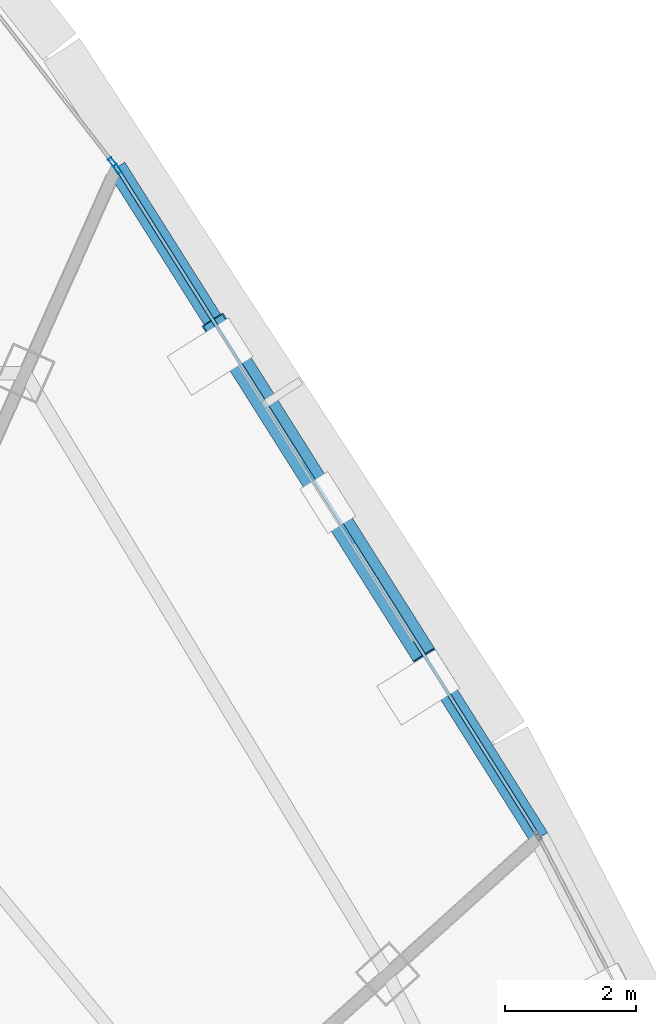
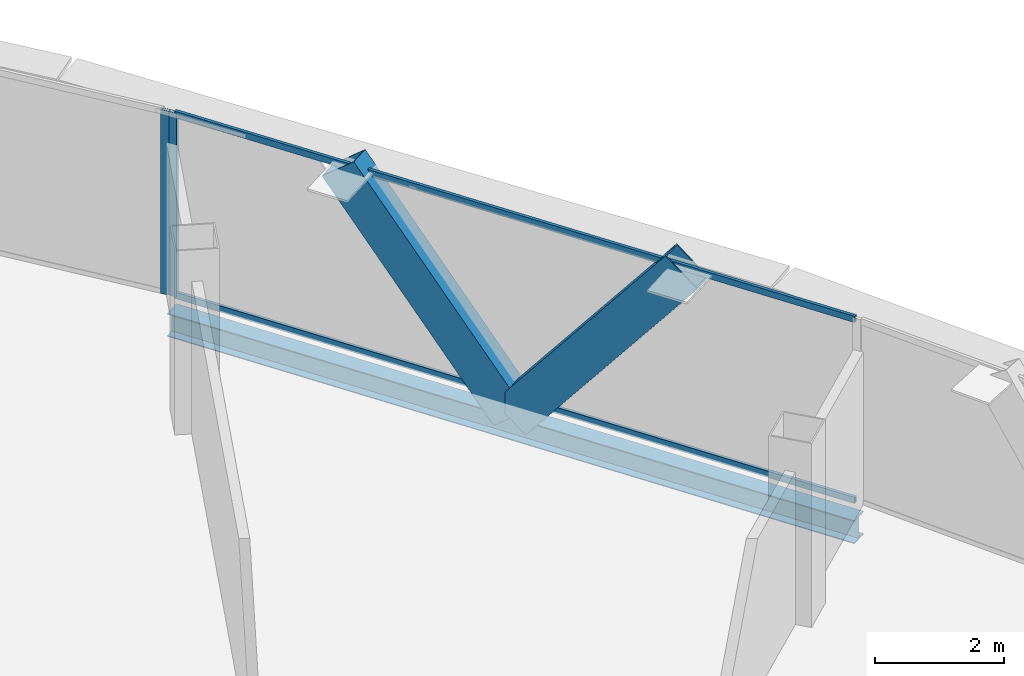
# One storey, part 19 of 27: 6 members, 1 beam, 2 elements without a shape of their own.
"""IFC4 building model written with IfcOpenShell, lengths in metres."""

import ifcopenshell
import ifcopenshell.guid

model = None  # the IFC model being written
_history = None  # IfcOwnerHistory: only IFC2X3 demands one
_inside = {}  # id of a spatial element -> (the spatial element, [elements in it])
_under = {}  # id of a project, library or spatial element -> (it, [spatial elements below it])
_declared = {}  # id of a project -> (the project, [libraries it declares])
_typed = {}  # id of a type object -> (the type object, [elements of that type])
_made_of = {}  # id of a material, layer set ... -> (it, [elements and type objects made of it])


def new_model(schema):
    """Start an empty IFC model of exactly this schema.

    Asked for "IFC4X3", IfcOpenShell would pick the latest addendum, in which some entities
    have other attributes; the version numbers below select the first issue.
    IFC2X3 requires an IfcOwnerHistory on every rooted entity: one is made here for all.
    """
    global model, _history
    if schema == "IFC4X3":
        model = ifcopenshell.file(schema_version=(4, 3, 0, 0))
    else:
        model = ifcopenshell.file(schema=schema)
    _inside.clear()
    _under.clear()
    _declared.clear()
    _typed.clear()
    _made_of.clear()
    _history = None
    if model.schema == "IFC2X3":
        org = make("IfcOrganization", Name="unknown")
        user = make(
            "IfcPersonAndOrganization",
            ThePerson=make("IfcPerson", FamilyName="unknown"),
            TheOrganization=org,
        )
        app = make(
            "IfcApplication",
            ApplicationDeveloper=org,
            Version="unknown",
            ApplicationFullName="unknown",
            ApplicationIdentifier="unknown",
        )
        _history = make(
            "IfcOwnerHistory",
            OwningUser=user,
            OwningApplication=app,
            ChangeAction="ADDED",
            CreationDate=0,
        )
    return model


def make(cls, **values):
    """One entity of the class cls with the attributes given. An attribute that is None is left unset."""
    return model.create_entity(
        cls, **{name: value for name, value in values.items() if value is not None}
    )


def rooted(cls, **values):
    """An entity with a GlobalId (a new one), such as an element, a storey or a relation."""
    return make(cls, GlobalId=ifcopenshell.guid.new(), OwnerHistory=_history, **values)


def si_unit(unit_type, name, prefix=None):
    """IfcSIUnit, for example si_unit("LENGTHUNIT", "METRE", prefix="MILLI")."""
    return make("IfcSIUnit", UnitType=unit_type, Prefix=prefix, Name=name)


def assignment(units):
    """IfcUnitAssignment: the units of a project."""
    return None if units is None else make("IfcUnitAssignment", Units=units)


def point(xyz):
    """IfcCartesianPoint."""
    return None if xyz is None else make("IfcCartesianPoint", Coordinates=xyz)


def direction(xyz):
    """IfcDirection."""
    return None if xyz is None else make("IfcDirection", DirectionRatios=xyz)


def frame(location, z_axis=None, x_axis=None):
    """IfcAxis2Placement3D, a coordinate frame: its origin and axes. An axis left out is left unset."""
    return make(
        "IfcAxis2Placement3D",
        Location=point(location),
        Axis=direction(z_axis),
        RefDirection=direction(x_axis),
    )


def frame_2d(location, x_axis=None):
    """IfcAxis2Placement2D, a coordinate frame in the plane: its origin and x axis."""
    return make(
        "IfcAxis2Placement2D", Location=point(location), RefDirection=direction(x_axis)
    )


def origin():
    """The frame at (0, 0, 0) with its axes left unset."""
    return frame((0.0, 0.0, 0.0))


def origin_2d():
    """The frame at (0, 0) in the plane with its x axis left unset."""
    return frame_2d((0.0, 0.0))


def place(relative_to, where):
    """IfcLocalPlacement: puts the frame where relative to a parent placement (None: the world)."""
    return make(
        "IfcLocalPlacement", PlacementRelTo=relative_to, RelativePlacement=where
    )


def context(
    kind, dimensions, precision=None, world=None, true_north=None, identifier=None
):
    """IfcGeometricRepresentationContext, for example the 3D "Model" context."""
    return make(
        "IfcGeometricRepresentationContext",
        ContextIdentifier=identifier,
        ContextType=kind,
        CoordinateSpaceDimension=dimensions,
        Precision=precision,
        WorldCoordinateSystem=world,
        TrueNorth=true_north,
    )


def subcontext(parent, identifier, kind, view, scale=None):
    """IfcGeometricRepresentationSubContext, for example "Body" below "Model"."""
    return make(
        "IfcGeometricRepresentationSubContext",
        ContextIdentifier=identifier,
        ContextType=kind,
        ParentContext=parent,
        TargetScale=scale,
        TargetView=view,
    )


def project(units=None, contexts=None):
    """IfcProject with its units and contexts."""
    return rooted(
        "IfcProject",
        Name="project",
        RepresentationContexts=contexts,
        UnitsInContext=assignment(units),
    )


def spatial(cls, under=None, at=None, **own):
    """A site, building, storey or space (cls), placed at a placement, below another one or the project."""
    s = rooted(cls, ObjectPlacement=at, **own)
    if under is not None:
        _under.setdefault(under.id(), (under, []))[1].append(s)
    return s


def profile(cls, at=None, kind="AREA", **sizes):
    """A parametric profile (cls). Its sizes go by their IFC names, for example OverallWidth=200.0."""
    return make(cls, ProfileType=kind, Position=at, **sizes)


def hollow_rectangle(**sizes):
    """IfcRectangleHollowProfileDef."""
    return profile("IfcRectangleHollowProfileDef", **sizes)


def i_section(**sizes):
    """IfcIShapeProfileDef."""
    return profile("IfcIShapeProfileDef", **sizes)


def extrude(swept, where, along, depth):
    """IfcExtrudedAreaSolid: the profile swept, set in the frame where, extruded along a direction by depth."""
    return make(
        "IfcExtrudedAreaSolid",
        SweptArea=swept,
        Position=where,
        ExtrudedDirection=direction(along),
        Depth=depth,
    )


def shape(context_of_items, identifier, shape_type, items):
    """IfcShapeRepresentation: the items that make up one representation, for example the "Body"."""
    return make(
        "IfcShapeRepresentation",
        ContextOfItems=context_of_items,
        RepresentationIdentifier=identifier,
        RepresentationType=shape_type,
        Items=items,
    )


def source(mapping_origin, context_of_items, identifier, shape_type, items):
    """IfcRepresentationMap: a shape defined once, which mapped items show again and again."""
    return make(
        "IfcRepresentationMap",
        MappingOrigin=mapping_origin,
        MappedRepresentation=shape(context_of_items, identifier, shape_type, items),
    )


def transform(
    local_origin,
    x_axis=None,
    y_axis=None,
    z_axis=None,
    scale=None,
    scale2=None,
    scale3=None,
    uniform=True,
):
    """IfcCartesianTransformationOperator3D, or its non-uniform kind. x_axis, y_axis, z_axis: its Axis1, 2, 3."""
    if uniform:
        return make(
            "IfcCartesianTransformationOperator3D",
            Axis1=direction(x_axis),
            Axis2=direction(y_axis),
            LocalOrigin=point(local_origin),
            Scale=scale,
            Axis3=direction(z_axis),
        )
    return make(
        "IfcCartesianTransformationOperator3DnonUniform",
        Axis1=direction(x_axis),
        Axis2=direction(y_axis),
        LocalOrigin=point(local_origin),
        Scale=scale,
        Axis3=direction(z_axis),
        Scale2=scale2,
        Scale3=scale3,
    )


def mapped(mapping_source, mapping_target):
    """IfcMappedItem: shows the shape of a source again, moved by a transform."""
    return make(
        "IfcMappedItem", MappingSource=mapping_source, MappingTarget=mapping_target
    )


def material(Name=None, Category=None):
    """IfcMaterial."""
    return make("IfcMaterial", Name=Name, Category=Category)


def layer(
    of_material, thickness, ventilated=None, Name=None, Category=None, Priority=None
):
    """IfcMaterialLayer: one layer of a wall or slab, of a material (None: an air gap)."""
    return make(
        "IfcMaterialLayer",
        Material=of_material,
        LayerThickness=thickness,
        IsVentilated=ventilated,
        Name=Name,
        Category=Category,
        Priority=Priority,
    )


def layer_set(layers, Name=None):
    """IfcMaterialLayerSet."""
    return make("IfcMaterialLayerSet", MaterialLayers=layers, LayerSetName=Name)


def material_profile(
    of_material, cross_section, Name=None, Category=None, Priority=None
):
    """IfcMaterialProfile: a cross section and its material."""
    return make(
        "IfcMaterialProfile",
        Name=Name,
        Material=of_material,
        Profile=cross_section,
        Priority=Priority,
        Category=Category,
    )


def profile_set(profiles, Name=None, composite=None):
    """IfcMaterialProfileSet."""
    return make(
        "IfcMaterialProfileSet",
        Name=Name,
        MaterialProfiles=profiles,
        CompositeProfile=composite,
    )


def made_of(thing, what):
    """Note that an element or type object is made of a material, layer set ...; save() writes the relation."""
    if what is not None:
        _made_of.setdefault(what.id(), (what, []))[1].append(thing)
    return thing


def type_object(cls, material=None, **own):
    """A type object (cls), such as IfcWallType, which elements share."""
    return made_of(rooted(cls, **own), material)


def element(
    cls,
    number,
    at=None,
    inside=None,
    cuts=None,
    type_object=None,
    material=None,
    context=None,
    identifier="Body",
    shape_type=None,
    held_by="IfcProductDefinitionShape",
    body=None,
    shapes=None,
    **own,
):
    """One element of the class cls, such as IfcWall. Its Tag is "e" and its number.

    at: its placement. inside: the storey or other place that contains it. cuts: it is an
    opening in that element (IfcRelVoidsElement). A single representation is given by context,
    identifier, shape_type and body (its items); several are given by shapes. held_by: the class
    of the entity that holds the representations. save() writes the other relations.
    """
    e = rooted(cls, Tag="e%d" % number, ObjectPlacement=at, **own)
    if body is not None:
        shapes = [shape(context, identifier, shape_type, body)]
    if shapes is not None:
        e.Representation = make(held_by, Representations=shapes)
    if inside is not None:
        _inside.setdefault(inside.id(), (inside, []))[1].append(e)
    if cuts is not None:
        rooted(
            "IfcRelVoidsElement", RelatingBuildingElement=cuts, RelatedOpeningElement=e
        )
    if type_object is not None:
        _typed.setdefault(type_object.id(), (type_object, []))[1].append(e)
    return made_of(e, material)


def aggregate(whole, parts):
    """IfcRelAggregates: a whole, such as a stair, and the parts it consists of."""
    return rooted("IfcRelAggregates", RelatingObject=whole, RelatedObjects=parts)


def save(model, path):
    """Write the relations noted so far, then the file.

    IfcRelAggregates (storeys below a building ...), IfcRelContainedInSpatialStructure (elements
    in a storey), IfcRelDefinesByType, IfcRelAssociatesMaterial and IfcRelDeclares: one each for
    every whole, place, type object, material and project.
    """
    for whole, parts in _under.values():
        aggregate(whole, parts)
    for where, things in _inside.values():
        rooted(
            "IfcRelContainedInSpatialStructure",
            RelatedElements=things,
            RelatingStructure=where,
        )
    for kind, things in _typed.values():
        rooted("IfcRelDefinesByType", RelatedObjects=things, RelatingType=kind)
    for what, things in _made_of.values():
        rooted("IfcRelAssociatesMaterial", RelatedObjects=things, RelatingMaterial=what)
    for by, libraries in _declared.values():
        rooted("IfcRelDeclares", RelatingContext=by, RelatedDefinitions=libraries)
    model.write(path)


model = new_model("IFC4")

# Units and contexts
model_context = context("Model", 3, precision=1e-05, world=origin(), true_north=direction((0.0, 1.0)))
body_context = subcontext(model_context, "Body", "Model", "MODEL_VIEW")
ifc_project = project(units=[si_unit("LENGTHUNIT", "METRE"), si_unit("AREAUNIT", "SQUARE_METRE"), si_unit("VOLUMEUNIT", "CUBIC_METRE"), si_unit("PLANEANGLEUNIT", "RADIAN"), si_unit("MASSUNIT", "GRAM", prefix="KILO"), si_unit("THERMODYNAMICTEMPERATUREUNIT", "KELVIN"), si_unit("POWERUNIT", "WATT")], contexts=[model_context])

# Site, building, storey
site_placement = place(None, origin())
site = spatial("IfcSite", under=ifc_project, at=site_placement, CompositionType="ELEMENT")
building_placement = place(site_placement, origin())
building = spatial("IfcBuilding", under=site, at=building_placement, Name="Yunzhuo Pagoda Commons", CompositionType="ELEMENT")
storey_placement = place(building_placement, frame((0.0, 0.0, 344.260009765625)))
storey = spatial("IfcBuildingStorey", under=building, at=storey_placement, Name="L86", CompositionType="ELEMENT", Elevation=344.260009765625)

# Beam
ifc_material_1 = material(Name="Structural steel Q355B", Category="steel")
ifc_material_profile_1 = material_profile(ifc_material_1, i_section(OverallWidth=0.300048828125, OverallDepth=0.43994140625, WebThickness=0.010986328125, FlangeThickness=0.01806640625, at=origin_2d()), Name="Structural steel Q355B")
ifc_profile_set_1 = profile_set([ifc_material_profile_1], Name="Structural steel Q355B")
beam_type = type_object("IfcBeamType", Name="B-SP2 Beam HM 440x300x11x18", PredefinedType="BEAM", material=ifc_profile_set_1)
shared_shape_1 = source(origin(), body_context, "Body", "SweptSolid", [
    extrude(i_section(OverallWidth=0.300048828125, OverallDepth=0.43994140625, WebThickness=0.010986328125, FlangeThickness=0.01806640625, at=origin_2d()), origin(), (0.0, 0.0, 1.0), 12.070068359375),
])
beam_placement = place(storey_placement, frame((66.33447265625, 50.2080078125, -0.47998046875), z_axis=(-0.533485299325, 0.845809337501, 0.0), x_axis=(-0.845809337501, -0.533485299325, 0.0)))
element("IfcBeam", 1, at=beam_placement, inside=storey, type_object=beam_type, Name="L86 facade edge spandrel beam F2.3", PredefinedType="BEAM", context=body_context, shape_type="MappedRepresentation", body=[
    mapped(shared_shape_1, transform((0.0, 0.0, 0.0), scale=1.0)),
])

# Members
ifc_material_profile_2 = material_profile(ifc_material_1, hollow_rectangle(XDim=0.3798828125, YDim=0.719970703125, WallThickness=0.02001953125, at=origin_2d()), Name="Structural steel Q355B")
ifc_profile_set_2 = profile_set([ifc_material_profile_2], Name="Structural steel Q355B")
member_type_1 = type_object("IfcMemberType", Name="M-DL3 Brace BOX 720x380x20", PredefinedType="BRACE", material=ifc_profile_set_2)
shared_shape_2 = source(origin(), body_context, "Body", "SweptSolid", [
    extrude(hollow_rectangle(XDim=0.3798828125, YDim=0.719970703125, WallThickness=0.02001953125, at=origin_2d()), origin(), (0.0, 0.0, 1.0), 4.813232421875),
])
for number, where, z_axis, x_axis, name in (
    (2, (63.11474609375, 55.3125, -0.260009765625), (0.334423493444, -0.530218227965, 0.779121016124), (0.845813691845, 0.533478395708, 0.0), "L86 facade diamond brace F2.3L"),
    (3, (63.11474609375, 55.3125, -0.260009765625), (-0.334459548167, 0.530245695562, 0.779086845594), (-0.845800210541, -0.533499769305, 0.0), "L86 facade diamond brace F2.3R"),
):
    element("IfcMember", number, at=place(storey_placement, frame(where, z_axis=z_axis, x_axis=x_axis)), inside=storey, type_object=member_type_1, Name=name, PredefinedType="BRACE", context=body_context, shape_type="MappedRepresentation", body=[
        mapped(shared_shape_2, transform((0.0, 0.0, 0.0), scale=1.0)),
    ])

# Curtain wall, member
ifc_material_2 = material(Name="Anodized aluminium 6063-T6", Category="aluminium")
ifc_layer = layer(ifc_material_2, 0.139892578125)
ifc_layer_set = layer_set([ifc_layer], Name="Anodized aluminium 6063-T6")
curtain_wall_type = type_object("IfcCurtainWallType", Name="CW-HI High-Zone Ribbon Curtain Wall", PredefinedType="NOTDEFINED", material=ifc_layer_set)
curtain_wall_1_placement = place(storey_placement, origin())
curtain_wall_1 = element("IfcCurtainWall", 4, at=curtain_wall_1_placement, inside=storey, type_object=curtain_wall_type, Name="L86 curtain wall CW-L86-F2B4", PredefinedType="NOTDEFINED")
ifc_material_profile_3 = material_profile(ifc_material_2, hollow_rectangle(XDim=0.06005859375, YDim=0.139892578125, WallThickness=0.00341796875, at=origin_2d()), Name="Anodized aluminium 6063-T6")
ifc_profile_set_3 = profile_set([ifc_material_profile_3], Name="Anodized aluminium 6063-T6")
member_type_2 = type_object("IfcMemberType", Name="CW-HI-M Mullion RHS 140x60x3.5", PredefinedType="MULLION", material=ifc_profile_set_3)
shared_shape_3 = source(origin(), body_context, "Body", "SweptSolid", [
    extrude(hollow_rectangle(XDim=0.06005859375, YDim=0.139892578125, WallThickness=0.00341796875, at=origin_2d()), origin(), (0.0, 0.0, 1.0), 3.489990234375),
])
member_1_placement = place(storey_placement, frame((59.9111328125, 60.391845703125, 0.0), z_axis=(0.0, 0.0, 1.0), x_axis=(-0.845817518552, -0.533472328532, 0.0)))
member_1 = element("IfcMember", 5, at=member_1_placement, type_object=member_type_2, Name="CW mullion 2", PredefinedType="MULLION", context=body_context, shape_type="MappedRepresentation", body=[
    mapped(shared_shape_3, transform((0.0, 0.0, 0.0), scale=1.0)),
])

curtain_wall_2_placement = place(storey_placement, origin())
curtain_wall_2 = element("IfcCurtainWall", 6, at=curtain_wall_2_placement, inside=storey, type_object=curtain_wall_type, Name="L86 curtain wall CW-L86-F2B5", PredefinedType="NOTDEFINED")
member_2_placement = place(storey_placement, frame((59.8310546875, 60.5, 0.0), z_axis=(0.0, 0.0, 1.0), x_axis=(-0.79052744869, -0.612426610189, 0.0)))
member_2 = element("IfcMember", 7, at=member_2_placement, type_object=member_type_2, Name="CW mullion 1", PredefinedType="MULLION", context=body_context, shape_type="MappedRepresentation", body=[
    mapped(shared_shape_3, transform((0.0, 0.0, 0.0), scale=1.0)),
])
aggregate(curtain_wall_2, [member_2])

# Member
ifc_material_profile_4 = material_profile(ifc_material_2, hollow_rectangle(XDim=0.054931640625, YDim=0.1201171875, WallThickness=0.00341796875, at=origin_2d()), Name="Anodized aluminium 6063-T6")
ifc_profile_set_4 = profile_set([ifc_material_profile_4], Name="Anodized aluminium 6063-T6")
member_type_3 = type_object("IfcMemberType", Name="CW-HI-T Transom RHS 120x55x3.5", PredefinedType="USERDEFINED", material=ifc_profile_set_4)
shared_shape_4 = source(origin(), body_context, "Body", "SweptSolid", [
    extrude(hollow_rectangle(XDim=0.054931640625, YDim=0.1201171875, WallThickness=0.00341796875, at=origin_2d()), origin(), (0.0, 0.0, 1.0), 11.9501953125),
])
member_3_placement = place(storey_placement, frame((66.30224609375, 50.2587890625, 0.027587890625), z_axis=(-0.533467130189, 0.845820797219, 0.0), x_axis=(-0.845820797219, -0.533467130189, 0.0)))
member_3 = element("IfcMember", 8, at=member_3_placement, type_object=member_type_3, Name="CW transom 1.1", ObjectType="TRANSOM", PredefinedType="USERDEFINED", context=body_context, shape_type="MappedRepresentation", body=[
    mapped(shared_shape_4, transform((0.0, 0.0, 0.0), scale=1.0)),
])

member_4_placement = place(storey_placement, frame((66.30224609375, 50.2587890625, 3.46240234375), z_axis=(-0.533467130189, 0.845820797219, 0.0), x_axis=(-0.845820797219, -0.533467130189, 0.0)))
member_4 = element("IfcMember", 9, at=member_4_placement, type_object=member_type_3, Name="CW transom 1.2", ObjectType="TRANSOM", PredefinedType="USERDEFINED", context=body_context, shape_type="MappedRepresentation", body=[
    mapped(shared_shape_4, transform((0.0, 0.0, 0.0), scale=1.0)),
])

aggregate(curtain_wall_1, [member_1, member_3, member_4])

save(model, "model.ifc")
